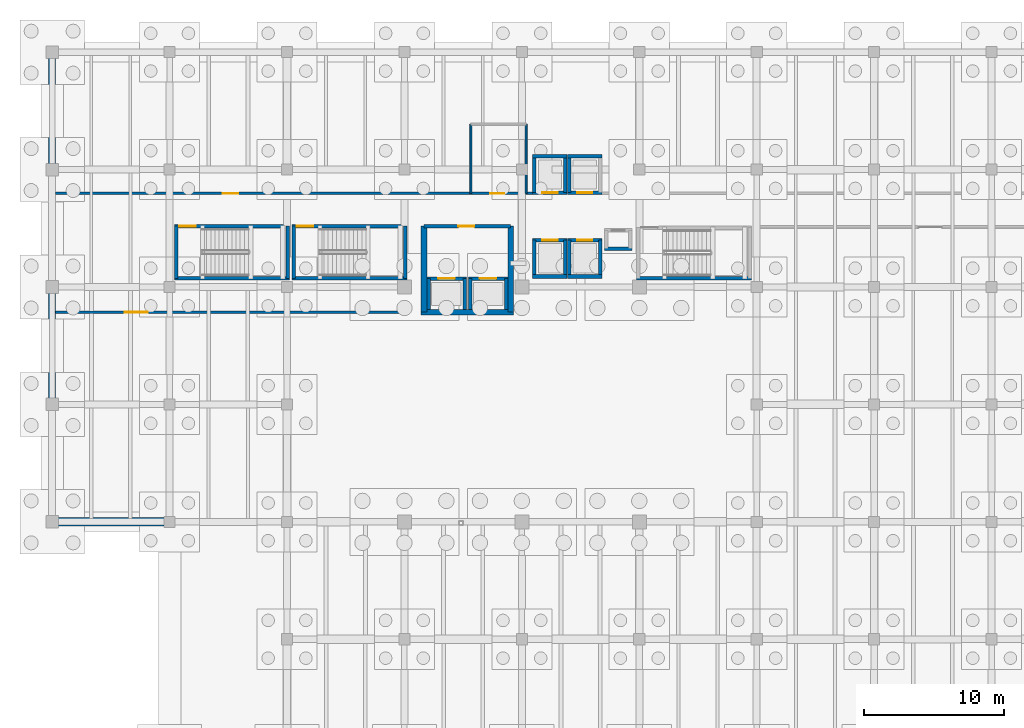
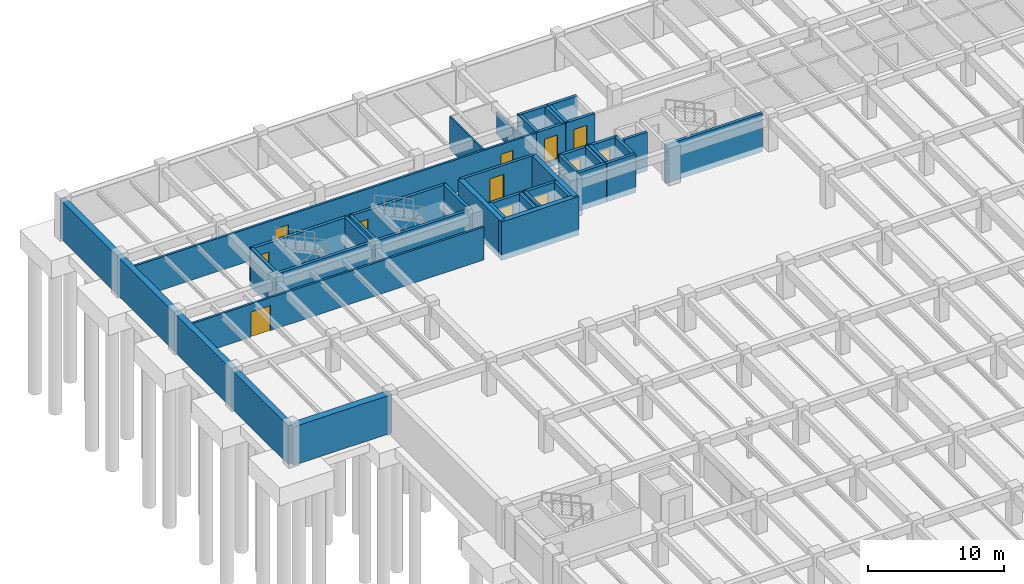
# One storey, part 46 of 70: 41 walls, 12 doors, 12 openings.
"""IFC4 building model written with IfcOpenShell, lengths in metres."""

from ifc_helpers import new_model, si_unit, direction, frame, frame_2d, origin, place, context, subcontext, project, spatial, rectangle, extrude, material, layer, layer_set, type_object, element, fill, save


model = new_model("IFC4")

# Units and contexts
model_context = context("Model", 3, precision=1e-05, world=origin(), true_north=direction((0.0, 1.0)))
body_context = subcontext(model_context, "Body", "Model", "MODEL_VIEW")
ifc_project = project(units=[si_unit("LENGTHUNIT", "METRE"), si_unit("AREAUNIT", "SQUARE_METRE"), si_unit("VOLUMEUNIT", "CUBIC_METRE"), si_unit("PLANEANGLEUNIT", "RADIAN"), si_unit("MASSUNIT", "GRAM", prefix="KILO")], contexts=[model_context])

# Site, building, storey
site_placement = place(None, origin())
site = spatial("IfcSite", under=ifc_project, at=site_placement, CompositionType="ELEMENT")
building_placement = place(site_placement, origin())
building = spatial("IfcBuilding", under=site, at=building_placement, Name="Cumbredor Promenade Congress Hotel", CompositionType="ELEMENT")
storey_placement = place(building_placement, frame((0.0, 0.0, -7.56005859375)))
storey = spatial("IfcBuildingStorey", under=building, at=storey_placement, Name="B02", CompositionType="ELEMENT", Elevation=-7.56005859375)

# Walls
ifc_material_1 = material(Name="Concrete C40/50", Category="concrete")
ifc_layer_1 = layer(ifc_material_1, 0.5, Name="Concrete C40/50", Category="concrete")
ifc_layer_set_1 = layer_set([ifc_layer_1], Name="Concrete C40/50")
wall_type_1 = type_object("IfcWallType", Name="Basement Retaining Wall 500mm", PredefinedType="USERDEFINED", material=ifc_layer_set_1)
wall_1_placement = place(storey_placement, frame((0.0, 117.60009765625, -0.5), z_axis=(0.0, 0.0, 1.0), x_axis=(0.0, -1.0, 0.0)))
element("IfcWall", 1, at=wall_1_placement, inside=storey, type_object=wall_type_1, Name="B02 Basement Retaining Wall RW-B02-06", ObjectType="RETAINING WALL", PredefinedType="USERDEFINED", context=body_context, shape_type="SweptSolid", body=[
    extrude(rectangle(XDim=33.60009765625, YDim=0.5, at=frame_2d((16.800048828125, 0.0))), origin(), (0.0, 0.0, 1.0), 3.4599609375),
])
ifc_layer_2 = layer(ifc_material_1, 0.60009765625, Name="Concrete C40/50", Category="concrete")
ifc_layer_set_2 = layer_set([ifc_layer_2], Name="Concrete C40/50")
wall_type_2 = type_object("IfcWallType", Name="Basement Retaining Wall 600mm", PredefinedType="USERDEFINED", material=ifc_layer_set_2)
wall_2_placement = place(storey_placement, frame((0.0, 84.0, -0.5), z_axis=(0.0, 0.0, 1.0), x_axis=(1.0, 0.0, 0.0)))
element("IfcWall", 2, at=wall_2_placement, inside=storey, type_object=wall_type_2, Name="B02 Basement Retaining Wall RW-B02-07", ObjectType="RETAINING WALL", PredefinedType="USERDEFINED", context=body_context, shape_type="SweptSolid", body=[
    extrude(rectangle(XDim=8.39990234375, YDim=0.60009765625, at=frame_2d((4.199951171875, 0.0))), origin(), (0.0, 0.0, 1.0), 3.4599609375),
])
ifc_material_2 = material(Name="Concrete C50/60", Category="concrete")
ifc_layer_3 = layer(ifc_material_2, 0.39990234375, Name="Concrete C50/60", Category="concrete")
ifc_layer_set_3 = layer_set([ifc_layer_3], Name="Concrete C50/60")
wall_type_3 = type_object("IfcWallType", Name="Seismic Shear Core Wall 400mm", PredefinedType="SHEAR", material=ifc_layer_set_3)
wall_3_placement = place(storey_placement, frame((26.60009765625, 99.0, -0.5), z_axis=(0.0, 0.0, 1.0), x_axis=(0.0, 1.0, 0.0)))
element("IfcWall", 3, at=wall_3_placement, inside=storey, type_object=wall_type_3, Name="B02 Hotel Core Shear Wall W1", PredefinedType="SHEAR", context=body_context, shape_type="SweptSolid", body=[
    extrude(rectangle(XDim=6.14990234375, YDim=0.39990234375, at=frame_2d((3.074951171875, 0.0))), origin(), (0.0, 0.0, 1.0), 3.4599609375),
])
wall_4_placement = place(storey_placement, frame((26.39990234375, 99.0, -0.5), z_axis=(0.0, 0.0, 1.0), x_axis=(1.0, 0.0, 0.0)))
element("IfcWall", 4, at=wall_4_placement, inside=storey, type_object=wall_type_3, Name="B02 Hotel Core Shear Wall S1", PredefinedType="SHEAR", context=body_context, shape_type="SweptSolid", body=[
    extrude(rectangle(XDim=6.60009765625, YDim=0.39990234375, at=frame_2d((3.300048828125, 0.0))), origin(), (0.0, 0.0, 1.0), 3.4599609375),
])
wall_5_placement = place(storey_placement, frame((32.800048828125, 99.0, -0.5), z_axis=(0.0, 0.0, 1.0), x_axis=(0.0, 1.0, 0.0)))
element("IfcWall", 5, at=wall_5_placement, inside=storey, type_object=wall_type_3, Name="B02 Hotel Core Shear Wall E1", PredefinedType="SHEAR", context=body_context, shape_type="SweptSolid", body=[
    extrude(rectangle(XDim=6.14990234375, YDim=0.39990234375, at=frame_2d((3.074951171875, 0.0))), origin(), (0.0, 0.0, 1.0), 3.4599609375),
])

# Wall, opening, door
ifc_material_3 = material(Name="Fire-rated hotel corridor wall")
ifc_layer_4 = layer(ifc_material_3, 0.179931640625, Name="Fire-rated hotel corridor wall")
ifc_layer_set_4 = layer_set([ifc_layer_4], Name="Fire-rated hotel corridor wall")
wall_type_4 = type_object("IfcWallType", Name="WL-CORR-180", PredefinedType="PARTITIONING", material=ifc_layer_set_4)
wall_6_placement = place(storey_placement, frame((0.25, 99.0, 0.0), z_axis=(0.0, 0.0, 1.0), x_axis=(1.0, 0.0, 0.0)))
wall_6 = element("IfcWall", 6, at=wall_6_placement, inside=storey, type_object=wall_type_4, Name="B02 Interior Partition W-B02-N-SW", PredefinedType="PARTITIONING", context=body_context, shape_type="SweptSolid", body=[
    extrude(rectangle(XDim=24.75, YDim=0.179931640625, at=frame_2d((12.375, 0.0))), origin(), (0.0, 0.0, 1.0), 2.9599609375),
])
opening_1_placement = place(wall_6_placement, frame((4.949951171875, 0.0, 0.0)))
opening_1 = element("IfcOpeningElement", 7, at=opening_1_placement, cuts=wall_6, Name="Opening FD-09", PredefinedType="OPENING", context=body_context, shape_type="SweptSolid", body=[
    extrude(rectangle(XDim=1.64990234375, YDim=2.25, at=frame_2d((0.824951171875, 1.125))), frame((0.0, 0.10009765625, 0.0), z_axis=(0.0, -1.0, 0.0), x_axis=(1.0, 0.0, 0.0)), (0.0, 0.0, 1.0), 0.199951171875),
])
ifc_material_4 = material(Name="Painted galvanized steel fire door", Category="steel")
door_type_1 = type_object("IfcDoorType", Name="DR-PLANT-FD60-1600", OperationType="DOUBLE_DOOR_SINGLE_SWING", PredefinedType="DOOR", material=ifc_material_4)
door_1_placement = place(opening_1_placement, origin())
door_1 = element("IfcDoor", 8, at=door_1_placement, inside=storey, type_object=door_type_1, Name="B02 Interior Door W-B02-N-SW-01", OperationType="DOUBLE_DOOR_SINGLE_SWING", OverallHeight=2.25, OverallWidth=1.64990234375, PredefinedType="DOOR", context=body_context, shape_type="SweptSolid", body=[
    extrude(rectangle(XDim=1.64990234375, YDim=2.25, at=frame_2d((0.824951171875, 1.125))), frame((0.0, 0.02490234375, 0.0), z_axis=(0.0, -1.0, 0.0), x_axis=(1.0, 0.0, 0.0)), (0.0, 0.0, 1.0), 0.050048828125),
])
fill(opening_1, door_1)

# Wall, openings, doors
wall_7_placement = place(storey_placement, frame((0.25, 107.5, 0.0), z_axis=(0.0, 0.0, 1.0), x_axis=(1.0, 0.0, 0.0)))
wall_7 = element("IfcWall", 9, at=wall_7_placement, inside=storey, type_object=wall_type_4, Name="B02 Interior Partition W-B02-N-NW", PredefinedType="PARTITIONING", context=body_context, shape_type="SweptSolid", body=[
    extrude(rectangle(XDim=34.1201171875, YDim=0.179931640625, at=frame_2d((17.06005859375, 0.0))), origin(), (0.0, 0.0, 1.0), 2.9599609375),
])
opening_2_placement = place(wall_7_placement, frame((11.949951171875, 0.0, 0.0)))
opening_2 = element("IfcOpeningElement", 10, at=opening_2_placement, cuts=wall_7, Name="Opening FD-04", PredefinedType="OPENING", context=body_context, shape_type="SweptSolid", body=[
    extrude(rectangle(XDim=1.10009765625, YDim=2.10009765625, at=frame_2d((0.550048828125, 1.050048828125))), frame((0.0, 0.10009765625, 0.0), z_axis=(0.0, -1.0, 0.0), x_axis=(1.0, 0.0, 0.0)), (0.0, 0.0, 1.0), 0.199951171875),
])
opening_3_placement = place(wall_7_placement, frame((31.10009765625, 0.0, 0.0)))
opening_3 = element("IfcOpeningElement", 11, at=opening_3_placement, cuts=wall_7, Name="Opening ID-03", PredefinedType="OPENING", context=body_context, shape_type="SweptSolid", body=[
    extrude(rectangle(XDim=1.0, YDim=2.10009765625, at=frame_2d((0.5, 1.050048828125))), frame((0.0, 0.10009765625, 0.0), z_axis=(0.0, -1.0, 0.0), x_axis=(1.0, 0.0, 0.0)), (0.0, 0.0, 1.0), 0.199951171875),
])
ifc_material_5 = material(Name="Kiln-dried tropical hardwood", Category="wood")
door_type_2 = type_object("IfcDoorType", Name="DR-ACC-1000", OperationType="NOTDEFINED", PredefinedType="DOOR", material=ifc_material_5)
door_2_placement = place(opening_3_placement, origin())
door_2 = element("IfcDoor", 12, at=door_2_placement, inside=storey, type_object=door_type_2, Name="B02 Interior Door W-B02-N-NW-02", OperationType="SINGLE_SWING_RIGHT", OverallHeight=2.10009765625, OverallWidth=1.0, PredefinedType="DOOR", context=body_context, shape_type="SweptSolid", body=[
    extrude(rectangle(XDim=1.0, YDim=2.10009765625, at=frame_2d((0.5, 1.050048828125))), frame((0.0, 0.02490234375, 0.0), z_axis=(0.0, -1.0, 0.0), x_axis=(1.0, 0.0, 0.0)), (0.0, 0.0, 1.0), 0.050048828125),
])
fill(opening_3, door_2)
door_type_3 = type_object("IfcDoorType", Name="DR-SGL-FD60-1100", OperationType="NOTDEFINED", PredefinedType="DOOR", material=ifc_material_4)
door_3_placement = place(opening_2_placement, origin())
door_3 = element("IfcDoor", 13, at=door_3_placement, inside=storey, type_object=door_type_3, Name="B02 Interior Door W-B02-N-NW-01", OperationType="SINGLE_SWING_LEFT", OverallHeight=2.10009765625, OverallWidth=1.10009765625, PredefinedType="DOOR", context=body_context, shape_type="SweptSolid", body=[
    extrude(rectangle(XDim=1.10009765625, YDim=2.10009765625, at=frame_2d((0.550048828125, 1.050048828125))), frame((0.0, 0.02490234375, 0.0), z_axis=(0.0, -1.0, 0.0), x_axis=(1.0, 0.0, 0.0)), (0.0, 0.0, 1.0), 0.050048828125),
])
fill(opening_2, door_3)

# Wall, opening, door
ifc_layer_5 = layer(ifc_material_1, 0.239990234375, Name="Concrete C40/50", Category="concrete")
ifc_layer_set_5 = layer_set([ifc_layer_5], Name="Concrete C40/50")
wall_type_5 = type_object("IfcWallType", Name="WL-FFL-240", PredefinedType="SOLIDWALL", material=ifc_layer_set_5)
wall_8_placement = place(storey_placement, frame((26.60009765625, 105.14990234375, 0.0), z_axis=(0.0, 0.0, 1.0), x_axis=(1.0, 0.0, 0.0)))
wall_8 = element("IfcWall", 14, at=wall_8_placement, inside=storey, type_object=wall_type_5, Name="B02 Interior Partition W-FFL-B02-N", PredefinedType="SOLIDWALL", context=body_context, shape_type="SweptSolid", body=[
    extrude(rectangle(XDim=6.199951171875, YDim=0.239990234375, at=frame_2d((3.10009765625, 0.0))), origin(), (0.0, 0.0, 1.0), 2.9599609375),
])
opening_4_placement = place(wall_8_placement, frame((2.449951171875, 0.0, 0.0)))
opening_4 = element("IfcOpeningElement", 15, at=opening_4_placement, cuts=wall_8, Name="Opening FD-05", PredefinedType="OPENING", context=body_context, shape_type="SweptSolid", body=[
    extrude(rectangle(XDim=1.14990234375, YDim=2.14990234375, at=frame_2d((0.574951171875, 1.074951171875))), frame((0.0, 0.1298828125, 0.0), z_axis=(0.0, -1.0, 0.0), x_axis=(1.0, 0.0, 0.0)), (0.0, 0.0, 1.0), 0.260009765625),
])
door_type_4 = type_object("IfcDoorType", Name="DR-SGL-FD60-1150", OperationType="NOTDEFINED", PredefinedType="DOOR", material=ifc_material_4)
door_4_placement = place(opening_4_placement, origin())
door_4 = element("IfcDoor", 16, at=door_4_placement, inside=storey, type_object=door_type_4, Name="B02 Interior Door W-FFL-B02-N-01", OperationType="SINGLE_SWING_LEFT", OverallHeight=2.14990234375, OverallWidth=1.14990234375, PredefinedType="DOOR", context=body_context, shape_type="SweptSolid", body=[
    extrude(rectangle(XDim=1.14990234375, YDim=2.14990234375, at=frame_2d((0.574951171875, 1.074951171875))), frame((0.0, 0.02490234375, 0.0), z_axis=(0.0, -1.0, 0.0), x_axis=(1.0, 0.0, 0.0)), (0.0, 0.0, 1.0), 0.050048828125),
])
fill(opening_4, door_4)

# Walls
ifc_material_6 = material(Name="Acoustic gypsum partition on steel studs", Category="steel")
ifc_layer_6 = layer(ifc_material_6, 0.139892578125, Name="Acoustic gypsum partition on steel studs", Category="steel")
ifc_layer_set_6 = layer_set([ifc_layer_6], Name="Acoustic gypsum partition on steel studs")
wall_type_6 = type_object("IfcWallType", Name="WL-PART-140", PredefinedType="PARTITIONING", material=ifc_layer_set_6)
wall_9_placement = place(storey_placement, frame((29.949951171875, 107.5, 0.0), z_axis=(0.0, 0.0, 1.0), x_axis=(0.0, 1.0, 0.0)))
element("IfcWall", 17, at=wall_9_placement, inside=storey, type_object=wall_type_6, Name="B02 Interior Partition W-B02-AWC-W", PredefinedType="PARTITIONING", context=body_context, shape_type="SweptSolid", body=[
    extrude(rectangle(XDim=4.949951171875, YDim=0.139892578125, at=frame_2d((2.47509765625, 0.0))), origin(), (0.0, 0.0, 1.0), 2.9599609375),
])
wall_10_placement = place(storey_placement, frame((33.89990234375, 107.5, 0.0), z_axis=(0.0, 0.0, 1.0), x_axis=(0.0, 1.0, 0.0)))
element("IfcWall", 18, at=wall_10_placement, inside=storey, type_object=wall_type_6, Name="B02 Interior Partition W-B02-AWC-E", PredefinedType="PARTITIONING", context=body_context, shape_type="SweptSolid", body=[
    extrude(rectangle(XDim=4.949951171875, YDim=0.139892578125, at=frame_2d((2.47509765625, 0.0))), origin(), (0.0, 0.0, 1.0), 1.9951171875),
])
ifc_layer_7 = layer(ifc_material_1, 0.2548828125, Name="Concrete C40/50", Category="concrete")
ifc_layer_set_7 = layer_set([ifc_layer_7], Name="Concrete C40/50")
wall_type_7 = type_object("IfcWallType", Name="WL-SHAFT-250", PredefinedType="SOLIDWALL", material=ifc_layer_set_7)
wall_11_placement = place(storey_placement, frame((8.75244140625, 101.419921875, -0.5), z_axis=(0.0, 0.0, 1.0), x_axis=(1.0, 0.0, 0.0)))
element("IfcWall", 19, at=wall_11_placement, inside=storey, type_object=wall_type_7, Name="STAIR-ST-01-B02 Shaft Wall South", PredefinedType="SOLIDWALL", context=body_context, shape_type="SweptSolid", body=[
    extrude(rectangle(XDim=8.22509765625, YDim=0.2548828125, at=frame_2d((4.112548828125, 0.0))), origin(), (0.0, 0.0, 1.0), 3.4599609375),
])

# Wall, opening, door
wall_12_placement = place(storey_placement, frame((8.75244140625, 105.14990234375, -0.5), z_axis=(0.0, 0.0, 1.0), x_axis=(1.0, 0.0, 0.0)))
wall_12 = element("IfcWall", 20, at=wall_12_placement, inside=storey, type_object=wall_type_7, Name="STAIR-ST-01-B02 Shaft Wall North", PredefinedType="SOLIDWALL", context=body_context, shape_type="SweptSolid", body=[
    extrude(rectangle(XDim=8.22509765625, YDim=0.2548828125, at=frame_2d((4.112548828125, 0.0))), origin(), (0.0, 0.0, 1.0), 3.4599609375),
])
opening_5_placement = place(wall_12_placement, frame((0.35009765625, 0.0, 0.5)))
opening_5 = element("IfcOpeningElement", 21, at=opening_5_placement, cuts=wall_12, Name="Opening SD-01", PredefinedType="OPENING", context=body_context, shape_type="SweptSolid", body=[
    extrude(rectangle(XDim=1.159912109375, YDim=2.14990234375, at=frame_2d((0.580078125, 1.074951171875))), frame((0.0, 0.137451171875, 0.0), z_axis=(0.0, -1.0, 0.0), x_axis=(1.0, 0.0, 0.0)), (0.0, 0.0, 1.0), 0.27490234375),
])
door_type_5 = type_object("IfcDoorType", Name="DR-STAIR-FD90-1150", OperationType="NOTDEFINED", PredefinedType="DOOR", material=ifc_material_4)
door_5_placement = place(opening_5_placement, origin())
door_5 = element("IfcDoor", 22, at=door_5_placement, inside=storey, type_object=door_type_5, Name="B02 Protected Exit Stair ST-01 Door", OperationType="SINGLE_SWING_RIGHT", OverallHeight=2.14990234375, OverallWidth=1.159912109375, PredefinedType="DOOR", context=body_context, shape_type="SweptSolid", body=[
    extrude(rectangle(XDim=1.159912109375, YDim=2.14990234375, at=frame_2d((0.580078125, 1.074951171875))), frame((0.0, 0.02490234375, 0.0), z_axis=(0.0, -1.0, 0.0), x_axis=(1.0, 0.0, 0.0)), (0.0, 0.0, 1.0), 0.050048828125),
])
fill(opening_5, door_5)

# Walls
for number, where, z_axis, x_axis, name in (
    (23, (8.8798828125, 101.419921875, -0.5), (0.0, 0.0, 1.0), (0.0, 1.0, 0.0), "STAIR-ST-01-B02 Shaft Wall West"),
    (24, (16.85009765625, 101.419921875, -0.5), (0.0, 0.0, 1.0), (0.0, 1.0, 0.0), "STAIR-ST-01-B02 Shaft Wall East"),
):
    element("IfcWall", number, at=place(storey_placement, frame(where, z_axis=z_axis, x_axis=x_axis)), inside=storey, type_object=wall_type_7, Name=name, PredefinedType="SOLIDWALL", context=body_context, shape_type="SweptSolid", body=[
        extrude(rectangle(XDim=3.72998046875, YDim=0.2548828125, at=frame_2d((1.864990234375, 0.0))), origin(), (0.0, 0.0, 1.0), 3.4599609375),
    ])
wall_13_placement = place(storey_placement, frame((17.152587890625, 101.419921875, -0.5), z_axis=(0.0, 0.0, 1.0), x_axis=(1.0, 0.0, 0.0)))
element("IfcWall", 25, at=wall_13_placement, inside=storey, type_object=wall_type_7, Name="STAIR-ST-02-B02 Shaft Wall South", PredefinedType="SOLIDWALL", context=body_context, shape_type="SweptSolid", body=[
    extrude(rectangle(XDim=8.224853515625, YDim=0.2548828125, at=frame_2d((4.1123046875, 0.0))), origin(), (0.0, 0.0, 1.0), 3.4599609375),
])

# Wall, opening, door
wall_14_placement = place(storey_placement, frame((17.152587890625, 105.14990234375, -0.5), z_axis=(0.0, 0.0, 1.0), x_axis=(1.0, 0.0, 0.0)))
wall_14 = element("IfcWall", 26, at=wall_14_placement, inside=storey, type_object=wall_type_7, Name="STAIR-ST-02-B02 Shaft Wall North", PredefinedType="SOLIDWALL", context=body_context, shape_type="SweptSolid", body=[
    extrude(rectangle(XDim=8.224853515625, YDim=0.2548828125, at=frame_2d((4.1123046875, 0.0))), origin(), (0.0, 0.0, 1.0), 3.4599609375),
])
opening_6_placement = place(wall_14_placement, frame((0.35009765625, 0.0, 0.5)))
opening_6 = element("IfcOpeningElement", 27, at=opening_6_placement, cuts=wall_14, Name="Opening SD-01", PredefinedType="OPENING", context=body_context, shape_type="SweptSolid", body=[
    extrude(rectangle(XDim=1.159912109375, YDim=2.14990234375, at=frame_2d((0.580078125, 1.074951171875))), frame((0.0, 0.137451171875, 0.0), z_axis=(0.0, -1.0, 0.0), x_axis=(1.0, 0.0, 0.0)), (0.0, 0.0, 1.0), 0.27490234375),
])
door_6_placement = place(opening_6_placement, origin())
door_6 = element("IfcDoor", 28, at=door_6_placement, inside=storey, type_object=door_type_5, Name="B02 Protected Exit Stair ST-02 Door", OperationType="SINGLE_SWING_LEFT", OverallHeight=2.14990234375, OverallWidth=1.159912109375, PredefinedType="DOOR", context=body_context, shape_type="SweptSolid", body=[
    extrude(rectangle(XDim=1.159912109375, YDim=2.14990234375, at=frame_2d((0.580078125, 1.074951171875))), frame((0.0, 0.02490234375, 0.0), z_axis=(0.0, -1.0, 0.0), x_axis=(1.0, 0.0, 0.0)), (0.0, 0.0, 1.0), 0.050048828125),
])
fill(opening_6, door_6)

# Walls
for number, where, z_axis, x_axis, name in (
    (29, (17.280029296875, 101.419921875, -0.5), (0.0, 0.0, 1.0), (0.0, 1.0, 0.0), "STAIR-ST-02-B02 Shaft Wall West"),
    (30, (25.25, 101.419921875, -0.5), (0.0, 0.0, 1.0), (0.0, 1.0, 0.0), "STAIR-ST-02-B02 Shaft Wall East"),
):
    element("IfcWall", number, at=place(storey_placement, frame(where, z_axis=z_axis, x_axis=x_axis)), inside=storey, type_object=wall_type_7, Name=name, PredefinedType="SOLIDWALL", context=body_context, shape_type="SweptSolid", body=[
        extrude(rectangle(XDim=3.72998046875, YDim=0.2548828125, at=frame_2d((1.864990234375, 0.0))), origin(), (0.0, 0.0, 1.0), 3.4599609375),
    ])
wall_15_placement = place(storey_placement, frame((41.802490234375, 101.419921875, -0.5), z_axis=(0.0, 0.0, 1.0), x_axis=(1.0, 0.0, 0.0)))
element("IfcWall", 31, at=wall_15_placement, inside=storey, type_object=wall_type_7, Name="STAIR-ST-03-B02 Shaft Wall South", PredefinedType="SOLIDWALL", context=body_context, shape_type="SweptSolid", body=[
    extrude(rectangle(XDim=8.22509765625, YDim=0.2548828125, at=frame_2d((4.112548828125, 0.0))), origin(), (0.0, 0.0, 1.0), 3.4599609375),
])

# Wall, opening, door
wall_16_placement = place(storey_placement, frame((26.802490234375, 101.39990234375, -0.5), z_axis=(0.0, 0.0, 1.0), x_axis=(1.0, 0.0, 0.0)))
wall_16 = element("IfcWall", 32, at=wall_16_placement, inside=storey, type_object=wall_type_7, Name="SHAFT-FF-01-B02 Shaft Wall North", PredefinedType="SOLIDWALL", context=body_context, shape_type="SweptSolid", body=[
    extrude(rectangle(XDim=2.824951171875, YDim=0.2548828125, at=frame_2d((1.41259765625, 0.0))), origin(), (0.0, 0.0, 1.0), 3.4599609375),
])
opening_7_placement = place(wall_16_placement, frame((0.8125, 0.0, 0.5)))
opening_7 = element("IfcOpeningElement", 33, at=opening_7_placement, cuts=wall_16, Name="Opening LD-02", PredefinedType="OPENING", context=body_context, shape_type="SweptSolid", body=[
    extrude(rectangle(XDim=1.199951171875, YDim=2.199951171875, at=frame_2d((0.60009765625, 1.10009765625))), frame((0.0, 0.137451171875, 0.0), z_axis=(0.0, -1.0, 0.0), x_axis=(1.0, 0.0, 0.0)), (0.0, 0.0, 1.0), 0.27490234375),
])
ifc_material_7 = material(Name="Brushed stainless steel", Category="steel")
door_type_6 = type_object("IfcDoorType", Name="Firefighting Lift Sliding Door LD-02 1200x2200", OperationType="DOUBLE_DOOR_SLIDING", PredefinedType="DOOR", material=ifc_material_7)
door_7_placement = place(opening_7_placement, origin())
door_7 = element("IfcDoor", 34, at=door_7_placement, inside=storey, type_object=door_type_6, Name="B02 Firefighting Lift FF-01 Sliding Landing Door", OperationType="DOUBLE_DOOR_SLIDING", OverallHeight=2.199951171875, OverallWidth=1.199951171875, PredefinedType="DOOR", context=body_context, shape_type="SweptSolid", body=[
    extrude(rectangle(XDim=1.199951171875, YDim=2.199951171875, at=frame_2d((0.60009765625, 1.10009765625))), frame((0.0, 0.02490234375, 0.0), z_axis=(0.0, -1.0, 0.0), x_axis=(1.0, 0.0, 0.0)), (0.0, 0.0, 1.0), 0.050048828125),
])
fill(opening_7, door_7)

# Walls
for number, where, z_axis, x_axis, name in (
    (35, (26.929931640625, 99.199951171875, -0.5), (0.0, 0.0, 1.0), (0.0, 1.0, 0.0), "SHAFT-FF-01-B02 Shaft Wall West"),
    (36, (29.5, 99.199951171875, -0.5), (0.0, 0.0, 1.0), (0.0, 1.0, 0.0), "SHAFT-FF-01-B02 Shaft Wall East"),
):
    element("IfcWall", number, at=place(storey_placement, frame(where, z_axis=z_axis, x_axis=x_axis)), inside=storey, type_object=wall_type_7, Name=name, PredefinedType="SOLIDWALL", context=body_context, shape_type="SweptSolid", body=[
        extrude(rectangle(XDim=2.199951171875, YDim=0.2548828125, at=frame_2d((1.10009765625, 0.0))), origin(), (0.0, 0.0, 1.0), 3.4599609375),
    ])

# Wall, opening, door
wall_17_placement = place(storey_placement, frame((29.7724609375, 101.39990234375, -0.5), z_axis=(0.0, 0.0, 1.0), x_axis=(1.0, 0.0, 0.0)))
wall_17 = element("IfcWall", 37, at=wall_17_placement, inside=storey, type_object=wall_type_7, Name="SHAFT-FF-02-B02 Shaft Wall North", PredefinedType="SOLIDWALL", context=body_context, shape_type="SweptSolid", body=[
    extrude(rectangle(XDim=2.824951171875, YDim=0.2548828125, at=frame_2d((1.41259765625, 0.0))), origin(), (0.0, 0.0, 1.0), 3.4599609375),
])
opening_8_placement = place(wall_17_placement, frame((0.8125, 0.0, 0.5)))
opening_8 = element("IfcOpeningElement", 38, at=opening_8_placement, cuts=wall_17, Name="Opening LD-02", PredefinedType="OPENING", context=body_context, shape_type="SweptSolid", body=[
    extrude(rectangle(XDim=1.199951171875, YDim=2.199951171875, at=frame_2d((0.60009765625, 1.10009765625))), frame((0.0, 0.137451171875, 0.0), z_axis=(0.0, -1.0, 0.0), x_axis=(1.0, 0.0, 0.0)), (0.0, 0.0, 1.0), 0.27490234375),
])
door_8_placement = place(opening_8_placement, origin())
door_8 = element("IfcDoor", 39, at=door_8_placement, inside=storey, type_object=door_type_6, Name="B02 Firefighting Lift FF-02 Sliding Landing Door", OperationType="DOUBLE_DOOR_SLIDING", OverallHeight=2.199951171875, OverallWidth=1.199951171875, PredefinedType="DOOR", context=body_context, shape_type="SweptSolid", body=[
    extrude(rectangle(XDim=1.199951171875, YDim=2.199951171875, at=frame_2d((0.60009765625, 1.10009765625))), frame((0.0, 0.02490234375, 0.0), z_axis=(0.0, -1.0, 0.0), x_axis=(1.0, 0.0, 0.0)), (0.0, 0.0, 1.0), 0.050048828125),
])
fill(opening_8, door_8)

# Walls
for number, where, z_axis, x_axis, name in (
    (40, (29.89990234375, 99.199951171875, -0.5), (0.0, 0.0, 1.0), (0.0, 1.0, 0.0), "SHAFT-FF-02-B02 Shaft Wall West"),
    (41, (32.469970703125, 99.199951171875, -0.5), (0.0, 0.0, 1.0), (0.0, 1.0, 0.0), "SHAFT-FF-02-B02 Shaft Wall East"),
):
    element("IfcWall", number, at=place(storey_placement, frame(where, z_axis=z_axis, x_axis=x_axis)), inside=storey, type_object=wall_type_7, Name=name, PredefinedType="SOLIDWALL", context=body_context, shape_type="SweptSolid", body=[
        extrude(rectangle(XDim=2.199951171875, YDim=0.2548828125, at=frame_2d((1.10009765625, 0.0))), origin(), (0.0, 0.0, 1.0), 3.4599609375),
    ])

# Wall, opening, door
wall_18_placement = place(storey_placement, frame((34.37255859375, 107.550048828125, -0.5), z_axis=(0.0, 0.0, 1.0), x_axis=(1.0, 0.0, 0.0)))
wall_18 = element("IfcWall", 42, at=wall_18_placement, inside=storey, type_object=wall_type_7, Name="SHAFT-PL-01-B02 Shaft Wall South", PredefinedType="SOLIDWALL", context=body_context, shape_type="SweptSolid", body=[
    extrude(rectangle(XDim=2.454833984375, YDim=0.2548828125, at=frame_2d((1.2275390625, 0.0))), origin(), (0.0, 0.0, 1.0), 3.4599609375),
])
opening_9_placement = place(wall_18_placement, frame((0.677490234375, 0.0, 0.5)))
opening_9 = element("IfcOpeningElement", 43, at=opening_9_placement, cuts=wall_18, Name="Opening LD-01", PredefinedType="OPENING", context=body_context, shape_type="SweptSolid", body=[
    extrude(rectangle(XDim=1.10009765625, YDim=2.14990234375, at=frame_2d((0.550048828125, 1.074951171875))), frame((0.0, 0.137451171875, 0.0), z_axis=(0.0, -1.0, 0.0), x_axis=(1.0, 0.0, 0.0)), (0.0, 0.0, 1.0), 0.27490234375),
])
door_type_7 = type_object("IfcDoorType", Name="Lift Landing Sliding Door LD-01 1100x2150", OperationType="DOUBLE_DOOR_SLIDING", PredefinedType="DOOR", material=ifc_material_7)
door_9_placement = place(opening_9_placement, origin())
door_9 = element("IfcDoor", 44, at=door_9_placement, inside=storey, type_object=door_type_7, Name="B02 Hotel Passenger Lift PL-01 Sliding Landing Door", OperationType="DOUBLE_DOOR_SLIDING", OverallHeight=2.14990234375, OverallWidth=1.10009765625, PredefinedType="DOOR", context=body_context, shape_type="SweptSolid", body=[
    extrude(rectangle(XDim=1.10009765625, YDim=2.14990234375, at=frame_2d((0.550048828125, 1.074951171875))), frame((0.0, 0.02490234375, 0.0), z_axis=(0.0, -1.0, 0.0), x_axis=(1.0, 0.0, 0.0)), (0.0, 0.0, 1.0), 0.050048828125),
])
fill(opening_9, door_9)

# Walls
wall_19_placement = place(storey_placement, frame((34.37255859375, 110.14990234375, -0.5), z_axis=(0.0, 0.0, 1.0), x_axis=(1.0, 0.0, 0.0)))
element("IfcWall", 45, at=wall_19_placement, inside=storey, type_object=wall_type_7, Name="SHAFT-PL-01-B02 Shaft Wall North", PredefinedType="SOLIDWALL", context=body_context, shape_type="SweptSolid", body=[
    extrude(rectangle(XDim=2.454833984375, YDim=0.2548828125, at=frame_2d((1.2275390625, 0.0))), origin(), (0.0, 0.0, 1.0), 3.4599609375),
])
for number, where, z_axis, x_axis, name in (
    (46, (34.5, 107.550048828125, -0.5), (0.0, 0.0, 1.0), (0.0, 1.0, 0.0), "SHAFT-PL-01-B02 Shaft Wall West"),
    (47, (36.699951171875, 107.550048828125, -0.5), (0.0, 0.0, 1.0), (0.0, 1.0, 0.0), "SHAFT-PL-01-B02 Shaft Wall East"),
):
    element("IfcWall", number, at=place(storey_placement, frame(where, z_axis=z_axis, x_axis=x_axis)), inside=storey, type_object=wall_type_7, Name=name, PredefinedType="SOLIDWALL", context=body_context, shape_type="SweptSolid", body=[
        extrude(rectangle(XDim=2.599853515625, YDim=0.2548828125, at=frame_2d((1.2998046875, 0.0))), origin(), (0.0, 0.0, 1.0), 3.4599609375),
    ])

# Wall, opening, door
wall_20_placement = place(storey_placement, frame((36.87255859375, 107.550048828125, -0.5), z_axis=(0.0, 0.0, 1.0), x_axis=(1.0, 0.0, 0.0)))
wall_20 = element("IfcWall", 48, at=wall_20_placement, inside=storey, type_object=wall_type_7, Name="SHAFT-PL-02-B02 Shaft Wall South", PredefinedType="SOLIDWALL", context=body_context, shape_type="SweptSolid", body=[
    extrude(rectangle(XDim=2.454833984375, YDim=0.2548828125, at=frame_2d((1.2275390625, 0.0))), origin(), (0.0, 0.0, 1.0), 3.4599609375),
])
opening_10_placement = place(wall_20_placement, frame((0.677490234375, 0.0, 0.5)))
opening_10 = element("IfcOpeningElement", 49, at=opening_10_placement, cuts=wall_20, Name="Opening LD-01", PredefinedType="OPENING", context=body_context, shape_type="SweptSolid", body=[
    extrude(rectangle(XDim=1.10009765625, YDim=2.14990234375, at=frame_2d((0.550048828125, 1.074951171875))), frame((0.0, 0.137451171875, 0.0), z_axis=(0.0, -1.0, 0.0), x_axis=(1.0, 0.0, 0.0)), (0.0, 0.0, 1.0), 0.27490234375),
])
door_10_placement = place(opening_10_placement, origin())
door_10 = element("IfcDoor", 50, at=door_10_placement, inside=storey, type_object=door_type_7, Name="B02 Hotel Passenger Lift PL-02 Sliding Landing Door", OperationType="DOUBLE_DOOR_SLIDING", OverallHeight=2.14990234375, OverallWidth=1.10009765625, PredefinedType="DOOR", context=body_context, shape_type="SweptSolid", body=[
    extrude(rectangle(XDim=1.10009765625, YDim=2.14990234375, at=frame_2d((0.550048828125, 1.074951171875))), frame((0.0, 0.02490234375, 0.0), z_axis=(0.0, -1.0, 0.0), x_axis=(1.0, 0.0, 0.0)), (0.0, 0.0, 1.0), 0.050048828125),
])
fill(opening_10, door_10)

# Walls
wall_21_placement = place(storey_placement, frame((36.87255859375, 110.14990234375, -0.5), z_axis=(0.0, 0.0, 1.0), x_axis=(1.0, 0.0, 0.0)))
element("IfcWall", 51, at=wall_21_placement, inside=storey, type_object=wall_type_7, Name="SHAFT-PL-02-B02 Shaft Wall North", PredefinedType="SOLIDWALL", context=body_context, shape_type="SweptSolid", body=[
    extrude(rectangle(XDim=2.454833984375, YDim=0.2548828125, at=frame_2d((1.2275390625, 0.0))), origin(), (0.0, 0.0, 1.0), 3.4599609375),
])
wall_22_placement = place(storey_placement, frame((37.0, 107.550048828125, -0.5), z_axis=(0.0, 0.0, 1.0), x_axis=(0.0, 1.0, 0.0)))
element("IfcWall", 52, at=wall_22_placement, inside=storey, type_object=wall_type_7, Name="SHAFT-PL-02-B02 Shaft Wall West", PredefinedType="SOLIDWALL", context=body_context, shape_type="SweptSolid", body=[
    extrude(rectangle(XDim=2.599853515625, YDim=0.2548828125, at=frame_2d((1.2998046875, 0.0))), origin(), (0.0, 0.0, 1.0), 3.4599609375),
])
wall_23_placement = place(storey_placement, frame((34.37255859375, 101.550048828125, -0.5), z_axis=(0.0, 0.0, 1.0), x_axis=(1.0, 0.0, 0.0)))
element("IfcWall", 53, at=wall_23_placement, inside=storey, type_object=wall_type_7, Name="SHAFT-PL-03-B02 Shaft Wall South", PredefinedType="SOLIDWALL", context=body_context, shape_type="SweptSolid", body=[
    extrude(rectangle(XDim=2.454833984375, YDim=0.2548828125, at=frame_2d((1.2275390625, 0.0))), origin(), (0.0, 0.0, 1.0), 3.4599609375),
])

# Wall, opening, door
wall_24_placement = place(storey_placement, frame((34.37255859375, 104.14990234375, -0.5), z_axis=(0.0, 0.0, 1.0), x_axis=(1.0, 0.0, 0.0)))
wall_24 = element("IfcWall", 54, at=wall_24_placement, inside=storey, type_object=wall_type_7, Name="SHAFT-PL-03-B02 Shaft Wall North", PredefinedType="SOLIDWALL", context=body_context, shape_type="SweptSolid", body=[
    extrude(rectangle(XDim=2.454833984375, YDim=0.2548828125, at=frame_2d((1.2275390625, 0.0))), origin(), (0.0, 0.0, 1.0), 3.4599609375),
])
opening_11_placement = place(wall_24_placement, frame((0.677490234375, 0.0, 0.5)))
opening_11 = element("IfcOpeningElement", 55, at=opening_11_placement, cuts=wall_24, Name="Opening LD-01", PredefinedType="OPENING", context=body_context, shape_type="SweptSolid", body=[
    extrude(rectangle(XDim=1.10009765625, YDim=2.14990234375, at=frame_2d((0.550048828125, 1.074951171875))), frame((0.0, 0.137451171875, 0.0), z_axis=(0.0, -1.0, 0.0), x_axis=(1.0, 0.0, 0.0)), (0.0, 0.0, 1.0), 0.27490234375),
])
door_11_placement = place(opening_11_placement, origin())
door_11 = element("IfcDoor", 56, at=door_11_placement, inside=storey, type_object=door_type_7, Name="B02 Hotel Passenger Lift PL-03 Sliding Landing Door", OperationType="DOUBLE_DOOR_SLIDING", OverallHeight=2.14990234375, OverallWidth=1.10009765625, PredefinedType="DOOR", context=body_context, shape_type="SweptSolid", body=[
    extrude(rectangle(XDim=1.10009765625, YDim=2.14990234375, at=frame_2d((0.550048828125, 1.074951171875))), frame((0.0, 0.02490234375, 0.0), z_axis=(0.0, -1.0, 0.0), x_axis=(1.0, 0.0, 0.0)), (0.0, 0.0, 1.0), 0.050048828125),
])
fill(opening_11, door_11)

# Walls
for number, where, z_axis, x_axis, name in (
    (57, (34.5, 101.550048828125, -0.5), (0.0, 0.0, 1.0), (0.0, 1.0, 0.0), "SHAFT-PL-03-B02 Shaft Wall West"),
    (58, (36.699951171875, 101.550048828125, -0.5), (0.0, 0.0, 1.0), (0.0, 1.0, 0.0), "SHAFT-PL-03-B02 Shaft Wall East"),
):
    element("IfcWall", number, at=place(storey_placement, frame(where, z_axis=z_axis, x_axis=x_axis)), inside=storey, type_object=wall_type_7, Name=name, PredefinedType="SOLIDWALL", context=body_context, shape_type="SweptSolid", body=[
        extrude(rectangle(XDim=2.599853515625, YDim=0.2548828125, at=frame_2d((1.2998046875, 0.0))), origin(), (0.0, 0.0, 1.0), 3.4599609375),
    ])
wall_25_placement = place(storey_placement, frame((36.87255859375, 101.550048828125, -0.5), z_axis=(0.0, 0.0, 1.0), x_axis=(1.0, 0.0, 0.0)))
element("IfcWall", 59, at=wall_25_placement, inside=storey, type_object=wall_type_7, Name="SHAFT-PL-04-B02 Shaft Wall South", PredefinedType="SOLIDWALL", context=body_context, shape_type="SweptSolid", body=[
    extrude(rectangle(XDim=2.454833984375, YDim=0.2548828125, at=frame_2d((1.2275390625, 0.0))), origin(), (0.0, 0.0, 1.0), 3.4599609375),
])

# Wall, opening, door
wall_26_placement = place(storey_placement, frame((36.87255859375, 104.14990234375, -0.5), z_axis=(0.0, 0.0, 1.0), x_axis=(1.0, 0.0, 0.0)))
wall_26 = element("IfcWall", 60, at=wall_26_placement, inside=storey, type_object=wall_type_7, Name="SHAFT-PL-04-B02 Shaft Wall North", PredefinedType="SOLIDWALL", context=body_context, shape_type="SweptSolid", body=[
    extrude(rectangle(XDim=2.454833984375, YDim=0.2548828125, at=frame_2d((1.2275390625, 0.0))), origin(), (0.0, 0.0, 1.0), 3.4599609375),
])
opening_12_placement = place(wall_26_placement, frame((0.677490234375, 0.0, 0.5)))
opening_12 = element("IfcOpeningElement", 61, at=opening_12_placement, cuts=wall_26, Name="Opening LD-01", PredefinedType="OPENING", context=body_context, shape_type="SweptSolid", body=[
    extrude(rectangle(XDim=1.10009765625, YDim=2.14990234375, at=frame_2d((0.550048828125, 1.074951171875))), frame((0.0, 0.137451171875, 0.0), z_axis=(0.0, -1.0, 0.0), x_axis=(1.0, 0.0, 0.0)), (0.0, 0.0, 1.0), 0.27490234375),
])
door_12_placement = place(opening_12_placement, origin())
door_12 = element("IfcDoor", 62, at=door_12_placement, inside=storey, type_object=door_type_7, Name="B02 Hotel Passenger Lift PL-04 Sliding Landing Door", OperationType="DOUBLE_DOOR_SLIDING", OverallHeight=2.14990234375, OverallWidth=1.10009765625, PredefinedType="DOOR", context=body_context, shape_type="SweptSolid", body=[
    extrude(rectangle(XDim=1.10009765625, YDim=2.14990234375, at=frame_2d((0.550048828125, 1.074951171875))), frame((0.0, 0.02490234375, 0.0), z_axis=(0.0, -1.0, 0.0), x_axis=(1.0, 0.0, 0.0)), (0.0, 0.0, 1.0), 0.050048828125),
])
fill(opening_12, door_12)

# Walls
for number, where, z_axis, x_axis, name in (
    (63, (37.0, 101.550048828125, -0.5), (0.0, 0.0, 1.0), (0.0, 1.0, 0.0), "SHAFT-PL-04-B02 Shaft Wall West"),
    (64, (39.199951171875, 101.550048828125, -0.5), (0.0, 0.0, 1.0), (0.0, 1.0, 0.0), "SHAFT-PL-04-B02 Shaft Wall East"),
):
    element("IfcWall", number, at=place(storey_placement, frame(where, z_axis=z_axis, x_axis=x_axis)), inside=storey, type_object=wall_type_7, Name=name, PredefinedType="SOLIDWALL", context=body_context, shape_type="SweptSolid", body=[
        extrude(rectangle(XDim=2.599853515625, YDim=0.2548828125, at=frame_2d((1.2998046875, 0.0))), origin(), (0.0, 0.0, 1.0), 3.4599609375),
    ])
wall_27_placement = place(storey_placement, frame((39.5224609375, 103.550048828125, -0.5), z_axis=(0.0, 0.0, 1.0), x_axis=(1.0, 0.0, 0.0)))
element("IfcWall", 65, at=wall_27_placement, inside=storey, type_object=wall_type_7, Name="RISER-MEP-R1-B02 Shaft Wall South", PredefinedType="SOLIDWALL", context=body_context, shape_type="SweptSolid", body=[
    extrude(rectangle(XDim=1.955078125, YDim=0.2548828125, at=frame_2d((0.9775390625, 0.0))), origin(), (0.0, 0.0, 1.0), 3.4599609375),
])

save(model, "model.ifc")
